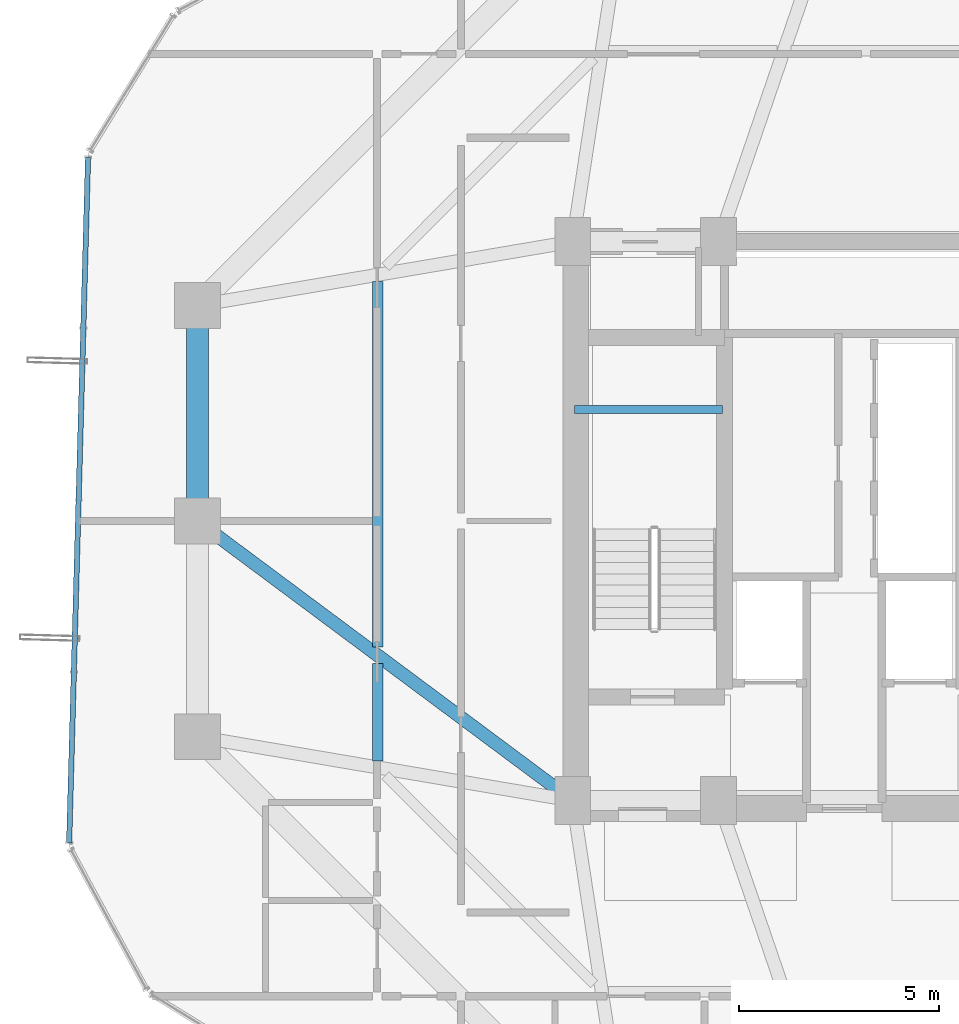
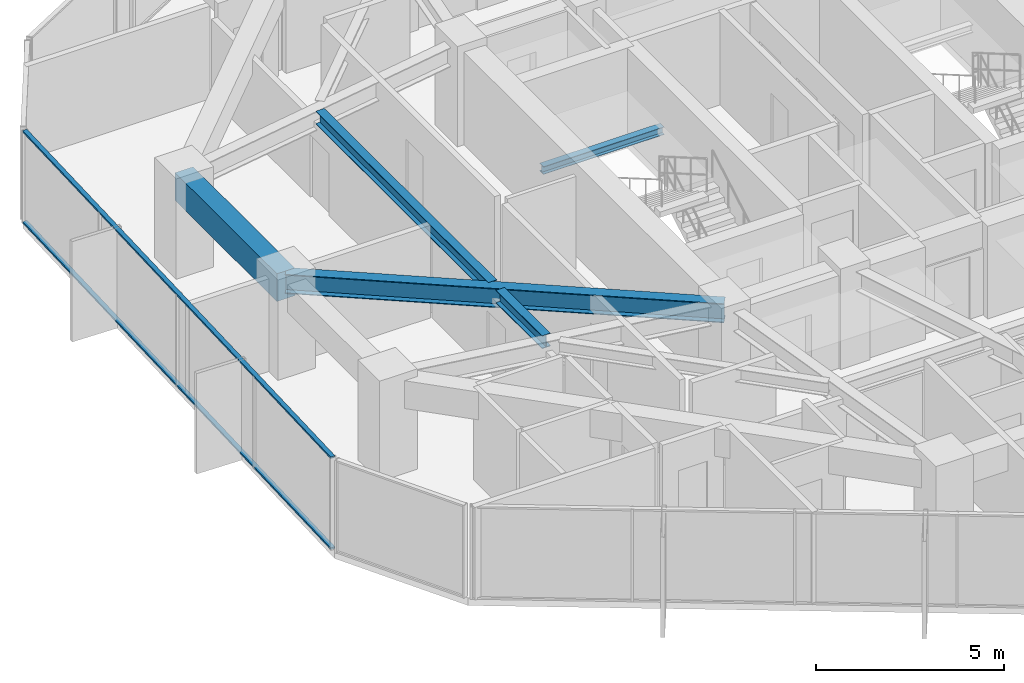
# One storey, part 10 of 30: 5 beams, 2 members, 1 element without a shape of its own.
"""IFC4 building model written with IfcOpenShell, lengths in metres."""

from ifc_helpers import new_model, si_unit, direction, frame, origin, origin_2d, place, context, subcontext, project, spatial, rectangle, hollow_rectangle, i_section, extrude, source, transform, mapped, material, layer, layer_set, material_profile, profile_set, type_object, element, aggregate, save


model = new_model("IFC4")

# Units and contexts
model_context = context("Model", 3, precision=1e-05, world=origin(), true_north=direction((0.0, 1.0)))
body_context = subcontext(model_context, "Body", "Model", "MODEL_VIEW")
ifc_project = project(units=[si_unit("LENGTHUNIT", "METRE"), si_unit("AREAUNIT", "SQUARE_METRE"), si_unit("VOLUMEUNIT", "CUBIC_METRE"), si_unit("PLANEANGLEUNIT", "RADIAN"), si_unit("MASSUNIT", "GRAM", prefix="KILO")], contexts=[model_context])

# Site, building, storey
site_placement = place(None, origin())
site = spatial("IfcSite", under=ifc_project, at=site_placement, CompositionType="ELEMENT")
building_placement = place(site_placement, origin())
building = spatial("IfcBuilding", under=site, at=building_placement, Name="Veraguas Prism Commons", CompositionType="ELEMENT")
storey_placement = place(building_placement, frame((0.0, 0.0, 123.0)))
storey = spatial("IfcBuildingStorey", under=building, at=storey_placement, Name="L34", CompositionType="ELEMENT", Elevation=123.0)

# Beams
ifc_material_1 = material(Name="Steel ASTM A992 Grade 50", Category="steel")
ifc_material_profile_1 = material_profile(ifc_material_1, i_section(OverallWidth=0.260986328125, OverallDepth=0.419921875, WebThickness=0.01171875, FlangeThickness=0.019287109375, at=origin_2d()), Name="W410X114")
ifc_profile_set_1 = profile_set([ifc_material_profile_1], Name="Steel ASTM A992 Grade 50")
beam_type_1 = type_object("IfcBeamType", Name="Lower Floor Joist W410x114", PredefinedType="JOIST", material=ifc_profile_set_1)
beam_1_placement = place(storey_placement, frame((12.31201171875, 30.003662109375, 2.7900390625), z_axis=(0.0, -1.0, 0.0), x_axis=(1.0, 0.0, 0.0)))
element("IfcBeam", 1, at=beam_1_placement, inside=storey, type_object=beam_type_1, Name="Composite Floor Joist L34-JS07", PredefinedType="JOIST", context=body_context, shape_type="SweptSolid", body=[
    extrude(i_section(OverallWidth=0.260986328125, OverallDepth=0.419921875, WebThickness=0.01171875, FlangeThickness=0.019287109375, at=origin_2d()), origin(), (0.0, 0.0, 1.0), 9.16162109375),
])
beam_2_placement = place(storey_placement, frame((12.31201171875, 20.43798828125, 2.7900390625), z_axis=(0.0, -1.0, 0.0), x_axis=(1.0, 0.0, 0.0)))
element("IfcBeam", 2, at=beam_2_placement, inside=storey, type_object=beam_type_1, Name="Composite Floor Joist L34-JS08", PredefinedType="JOIST", context=body_context, shape_type="SweptSolid", body=[
    extrude(i_section(OverallWidth=0.260986328125, OverallDepth=0.419921875, WebThickness=0.01171875, FlangeThickness=0.019287109375, at=origin_2d()), origin(), (0.0, 0.0, 1.0), 2.441650390625),
])
ifc_material_2 = material(Name="Concrete C50/60", Category="concrete")
ifc_material_profile_2 = material_profile(ifc_material_2, rectangle(XDim=0.550048828125, YDim=0.89990234375, at=origin_2d()), Name="RC550X900")
ifc_profile_set_2 = profile_set([ifc_material_profile_2], Name="Concrete C50/60")
beam_type_2 = type_object("IfcBeamType", Name="Perimeter Spandrel Lower RC 550x900", PredefinedType="SPANDREL", material=ifc_profile_set_2)
beam_3_placement = place(storey_placement, frame((7.800048828125, 29.39990234375, 2.550048828125), z_axis=(0.0, -1.0, 0.0), x_axis=(1.0, 0.0, 0.0)))
element("IfcBeam", 3, at=beam_3_placement, inside=storey, type_object=beam_type_2, Name="Perimeter Spandrel Beam L34-SP07", PredefinedType="SPANDREL", context=body_context, shape_type="SweptSolid", body=[
    extrude(rectangle(XDim=0.550048828125, YDim=0.89990234375, at=origin_2d()), origin(), (0.0, 0.0, 1.0), 5.39990234375),
])
ifc_material_profile_3 = material_profile(ifc_material_1, i_section(OverallWidth=0.202880859375, OverallDepth=0.251953125, WebThickness=0.008056640625, FlangeThickness=0.013427734375, at=origin_2d()), Name="W250X58")
ifc_profile_set_3 = profile_set([ifc_material_profile_3], Name="Steel ASTM A992 Grade 50")
beam_type_3 = type_object("IfcBeamType", Name="Structural Opening Lintel W250x58", PredefinedType="LINTEL", material=ifc_profile_set_3)
beam_4_placement = place(storey_placement, frame((17.25, 26.800048828125, 1.299072265625), z_axis=(1.0, 0.0, 0.0), x_axis=(0.0, 1.0, 0.0)))
element("IfcBeam", 4, at=beam_4_placement, inside=storey, type_object=beam_type_3, Name="Stair ST-01 Half-Landing Support Beam L34-1", PredefinedType="LINTEL", context=body_context, shape_type="SweptSolid", body=[
    extrude(i_section(OverallWidth=0.202880859375, OverallDepth=0.251953125, WebThickness=0.008056640625, FlangeThickness=0.013427734375, at=origin_2d()), origin(), (0.0, 0.0, 1.0), 3.699951171875),
])
ifc_material_profile_4 = material_profile(ifc_material_1, i_section(OverallWidth=0.327880859375, OverallDepth=0.6220703125, WebThickness=0.015380859375, FlangeThickness=0.0244140625, at=origin_2d()), Name="W610X195")
ifc_profile_set_4 = profile_set([ifc_material_profile_4], Name="Steel ASTM A992 Grade 50")
beam_type_4 = type_object("IfcBeamType", Name="Zone 2 Radial Girder W610x195", PredefinedType="BEAM", material=ifc_profile_set_4)
beam_5_placement = place(storey_placement, frame((7.800048828125, 24.0, 2.68896484375), z_axis=(0.802040137921, -0.597270137512, 0.0), x_axis=(0.597270137512, 0.802040137921, 0.0)))
element("IfcBeam", 5, at=beam_5_placement, inside=storey, type_object=beam_type_4, Name="Radial Floor Girder L34-RD08", PredefinedType="BEAM", context=body_context, shape_type="SweptSolid", body=[
    extrude(i_section(OverallWidth=0.327880859375, OverallDepth=0.6220703125, WebThickness=0.015380859375, FlangeThickness=0.0244140625, at=origin_2d()), origin(), (0.0, 0.0, 1.0), 11.719970703125),
])

# Curtain wall, members
ifc_material_3 = material(Name="Anodised aluminium EN AW-6063 T6", Category="aluminium")
ifc_layer = layer(ifc_material_3, 0.169921875, Name="Unitised Flush Curtain Wall Zone 2", Category="aluminium")
ifc_layer_set = layer_set([ifc_layer], Name="Anodised aluminium EN AW-6063 T6")
curtain_wall_type = type_object("IfcCurtainWallType", Name="Unitised Flush Curtain Wall Zone 2", PredefinedType="NOTDEFINED", material=ifc_layer_set)
curtain_wall_placement = place(storey_placement, origin())
curtain_wall = element("IfcCurtainWall", 6, at=curtain_wall_placement, inside=storey, type_object=curtain_wall_type, Name="Tower Facade Curtain Wall L34-F3", PredefinedType="NOTDEFINED")
ifc_material_profile_5 = material_profile(ifc_material_3, hollow_rectangle(XDim=0.054931640625, YDim=0.135009765625, WallThickness=0.0029296875, at=origin_2d()), Name="AL55X135X3")
ifc_profile_set_5 = profile_set([ifc_material_profile_5], Name="Anodised aluminium EN AW-6063 T6")
member_type = type_object("IfcMemberType", Name="Curtain Wall Transom Standard AL 55x135x3", PredefinedType="USERDEFINED", material=ifc_profile_set_5)
shared_shape = source(origin(), body_context, "Body", "SweptSolid", [
    extrude(hollow_rectangle(XDim=0.054931640625, YDim=0.135009765625, WallThickness=0.0029296875, at=origin_2d()), origin(), (0.0, 0.0, 1.0), 17.17431640625),
])
member_1_placement = place(storey_placement, frame((5.0615234375, 33.11279296875, 0.027587890625), z_axis=(-0.027563862774, -0.999620044551, 0.0), x_axis=(0.0, 0.0, 1.0)))
member_1 = element("IfcMember", 7, at=member_1_placement, type_object=member_type, Name="CW-Z2 Transom 1", ObjectType="TRANSOM", PredefinedType="USERDEFINED", context=body_context, shape_type="MappedRepresentation", body=[
    mapped(shared_shape, transform((0.0, 0.0, 0.0), scale=1.0)),
])
member_2_placement = place(storey_placement, frame((5.0615234375, 33.11279296875, 2.972412109375), z_axis=(-0.027563862774, -0.999620044551, 0.0), x_axis=(0.0, 0.0, 1.0)))
member_2 = element("IfcMember", 8, at=member_2_placement, type_object=member_type, Name="CW-Z2 Transom 2", ObjectType="TRANSOM", PredefinedType="USERDEFINED", context=body_context, shape_type="MappedRepresentation", body=[
    mapped(shared_shape, transform((0.0, 0.0, 0.0), scale=1.0)),
])
aggregate(curtain_wall, [member_1, member_2])

save(model, "model.ifc")
